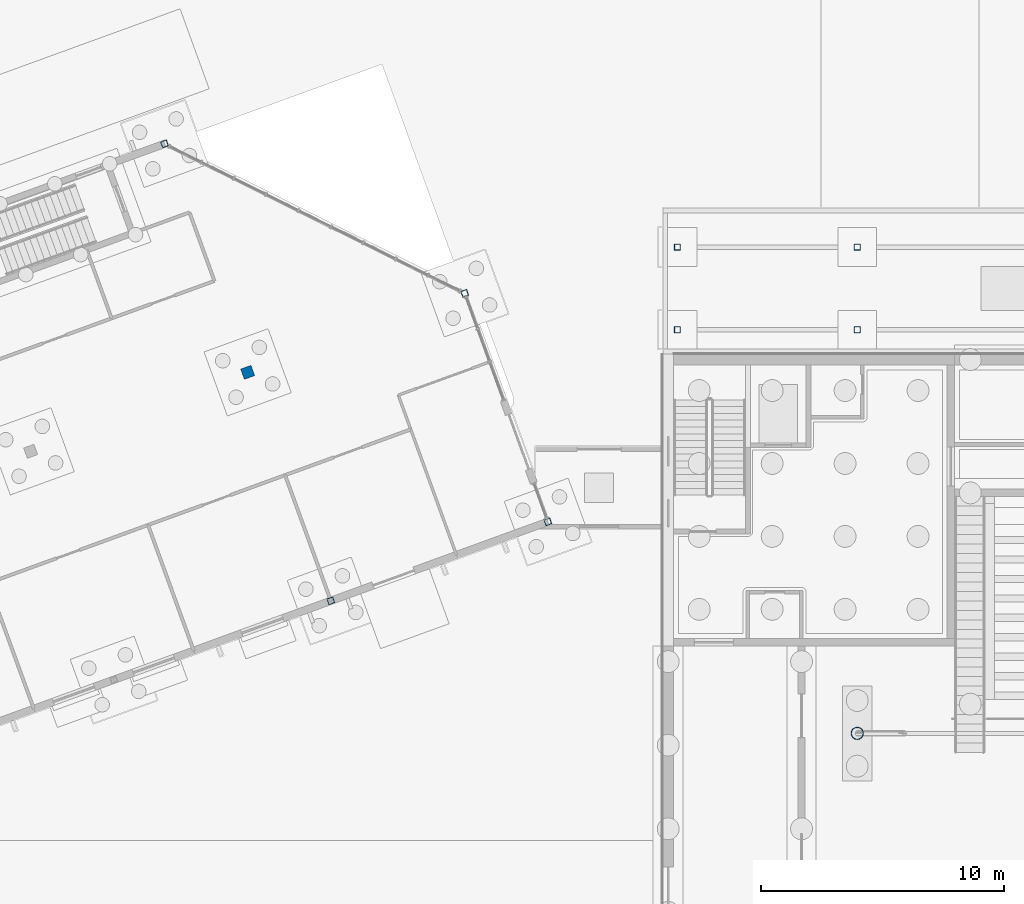
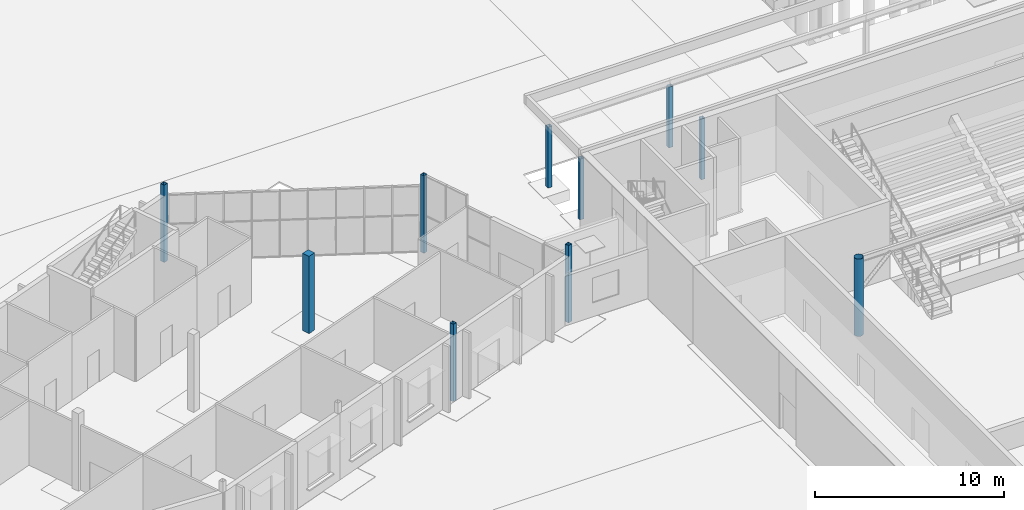
# One storey, part 13 of 157: 10 columns.
"""IFC4 building model written with IfcOpenShell, lengths in metres."""

from ifc_helpers import new_model, si_unit, direction, frame, origin, origin_2d, place, context, subcontext, project, spatial, rectangle, hollow_rectangle, hollow_circle, extrude, material, material_profile, profile_set, type_object, element, save


model = new_model("IFC4")

# Units and contexts
model_context = context("Model", 3, precision=1e-05, world=origin(), true_north=direction((0.0, 1.0)))
body_context = subcontext(model_context, "Body", "Model", "MODEL_VIEW")
ifc_project = project(units=[si_unit("LENGTHUNIT", "METRE"), si_unit("AREAUNIT", "SQUARE_METRE"), si_unit("VOLUMEUNIT", "CUBIC_METRE"), si_unit("PLANEANGLEUNIT", "RADIAN"), si_unit("MASSUNIT", "GRAM", prefix="KILO")], contexts=[model_context])

# Site, building, storey
site_placement = place(None, origin())
site = spatial("IfcSite", under=ifc_project, at=site_placement, CompositionType="ELEMENT")
building_placement = place(site_placement, origin())
building = spatial("IfcBuilding", under=site, at=building_placement, Name="Windward Yard Aquatics Centre", CompositionType="ELEMENT")
storey_placement = place(building_placement, origin())
storey = spatial("IfcBuildingStorey", under=building, at=storey_placement, Name="L00", CompositionType="ELEMENT", Elevation=0.0)

# Columns
ifc_material_1 = material(Name="Steel ASTM A500 Gr C", Category="steel")
ifc_material_profile_1 = material_profile(ifc_material_1, hollow_rectangle(XDim=0.25390625, YDim=0.25390625, WallThickness=0.0126953125, InnerFilletRadius=0.00634765625, OuterFilletRadius=0.01904296875, at=origin_2d()), Name="HSS254X254X12.7")
ifc_profile_set_1 = profile_set([ifc_material_profile_1], Name="Steel ASTM A500 Gr C")
column_type_1 = type_object("IfcColumnType", Name="A column HSS254X254X12.7", PredefinedType="COLUMN", material=ifc_profile_set_1)
for number, where, z_axis, x_axis, name in (
    (1, (52.60009765625, 97.0, 0.0), (0.0, 0.0, 1.0), (1.0, 0.0, 0.0), "A.COL.L00.1.1"),
    (2, (52.60009765625, 100.39990234375, 0.0), (0.0, 0.0, 1.0), (1.0, 0.0, 0.0), "A.COL.L00.1.2"),
    (3, (60.0, 97.0, 0.0), (0.0, 0.0, 1.0), (1.0, 0.0, 0.0), "A.COL.L00.2.1"),
    (4, (60.0, 100.39990234375, 0.0), (0.0, 0.0, 1.0), (1.0, 0.0, 0.0), "A.COL.L00.2.2"),
):
    element("IfcColumn", number, at=place(storey_placement, frame(where, z_axis=z_axis, x_axis=x_axis)), inside=storey, type_object=column_type_1, Name=name, PredefinedType="COLUMN", context=body_context, shape_type="SweptSolid", body=[
        extrude(hollow_rectangle(XDim=0.25390625, YDim=0.25390625, WallThickness=0.0126953125, InnerFilletRadius=0.00634765625, OuterFilletRadius=0.01904296875, at=origin_2d()), origin(), (0.0, 0.0, 1.0), 3.93310546875),
    ])
ifc_material_2 = material(Name="Steel S355", Category="steel")
ifc_material_profile_2 = material_profile(ifc_material_2, hollow_rectangle(XDim=0.25390625, YDim=0.25390625, WallThickness=0.01171875, at=origin_2d()), Name="HSS254x254x12.7")
ifc_profile_set_2 = profile_set([ifc_material_profile_2], Name="Steel S355")
column_type_2 = type_object("IfcColumnType", Name="F HSS254x254x12.7 column", PredefinedType="COLUMN", material=ifc_profile_set_2)
for number, where, z_axis, x_axis, name in (
    (5, (38.347412109375, 85.852294921875, 0.0), (0.0, 0.0, 1.0), (0.939692620786, 0.342020143326, 0.0), "F.COL.L00.04"),
    (6, (47.2744140625, 89.1015625, 0.0), (0.0, 0.0, 1.0), (0.939692620786, 0.342020143326, 0.0), "F.COL.L00.05"),
    (7, (43.854248046875, 98.498291015625, 0.0), (0.0, 0.0, 1.0), (0.939692620786, 0.342020143326, 0.0), "F.COL.L00.06"),
    (8, (31.5068359375, 104.64599609375, 0.0), (0.0, 0.0, 1.0), (0.939692620786, 0.342020143326, 0.0), "F.COL.L00.07"),
):
    element("IfcColumn", number, at=place(storey_placement, frame(where, z_axis=z_axis, x_axis=x_axis)), inside=storey, type_object=column_type_2, Name=name, PredefinedType="COLUMN", context=body_context, shape_type="SweptSolid", body=[
        extrude(hollow_rectangle(XDim=0.25390625, YDim=0.25390625, WallThickness=0.01171875, at=origin_2d()), origin(), (0.0, 0.0, 1.0), 5.0),
    ])
ifc_material_3 = material(Name="Concrete C40/50", Category="concrete")
ifc_material_profile_3 = material_profile(ifc_material_3, rectangle(XDim=0.449951171875, YDim=0.449951171875, at=origin_2d()), Name="RC 450x450")
ifc_profile_set_3 = profile_set([ifc_material_profile_3], Name="Concrete C40/50")
column_type_3 = type_object("IfcColumnType", Name="F RC 450x450 column Concrete C40/50", PredefinedType="COLUMN", material=ifc_profile_set_3)
column_1_placement = place(storey_placement, frame((34.927001953125, 95.249267578125, 0.0), z_axis=(0.0, 0.0, 1.0), x_axis=(0.939692620786, 0.342020143326, 0.0)))
element("IfcColumn", 9, at=column_1_placement, inside=storey, type_object=column_type_3, Name="F.COL.L00.11", PredefinedType="COLUMN", context=body_context, shape_type="SweptSolid", body=[
    extrude(rectangle(XDim=0.449951171875, YDim=0.449951171875, at=origin_2d()), origin(), (0.0, 0.0, 1.0), 5.0),
])
ifc_material_profile_4 = material_profile(ifc_material_1, hollow_circle(Radius=0.25390625, WallThickness=0.015869140625, at=origin_2d()), Name="HSS508X15.9")
ifc_profile_set_4 = profile_set([ifc_material_profile_4], Name="Steel ASTM A500 Gr C")
column_type_4 = type_object("IfcColumnType", Name="H arch column HSS508X15.9", PredefinedType="COLUMN", material=ifc_profile_set_4)
column_2_placement = place(storey_placement, frame((60.0, 80.39990234375, 0.0), z_axis=(0.0, 0.0, 1.0), x_axis=(1.0, 0.0, 0.0)))
element("IfcColumn", 10, at=column_2_placement, inside=storey, type_object=column_type_4, Name="H.AC.N1.L00", PredefinedType="COLUMN", context=body_context, shape_type="SweptSolid", body=[
    extrude(hollow_circle(Radius=0.25390625, WallThickness=0.015869140625, at=origin_2d()), origin(), (0.0, 0.0, 1.0), 5.0),
])

save(model, "model.ifc")
